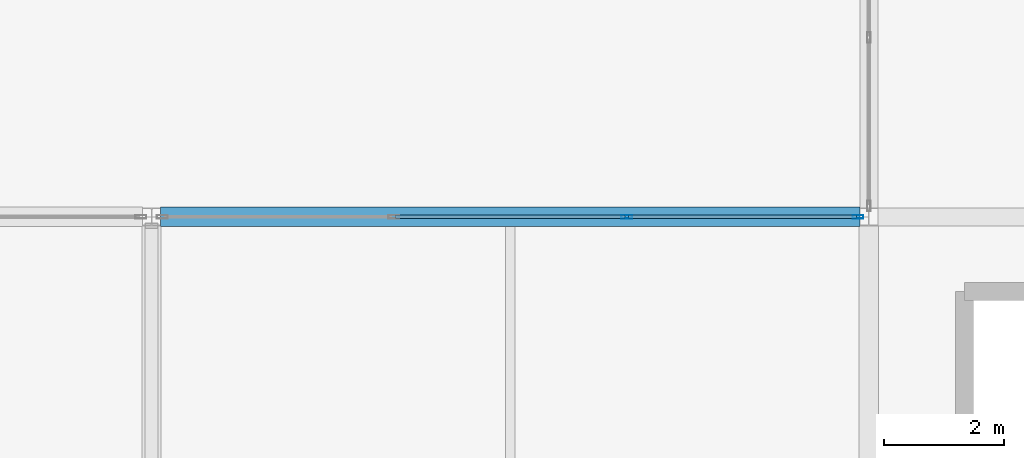
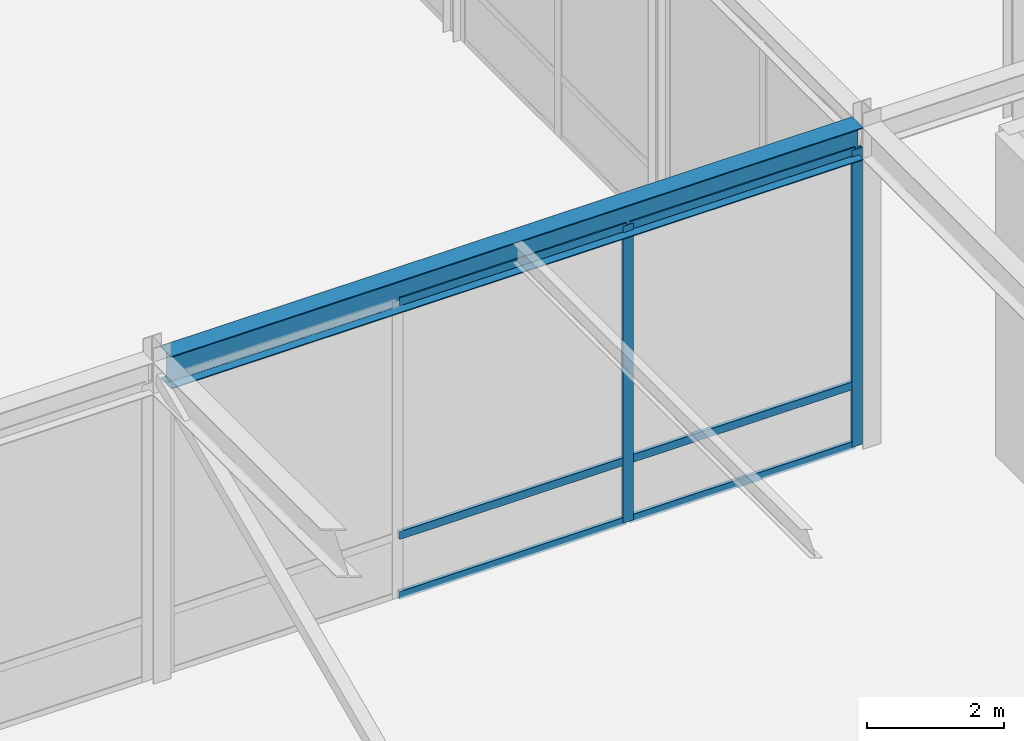
# One storey, part 38 of 108: 8 members, 1 beam, 1 element without a shape of its own.
"""IFC4 building model written with IfcOpenShell, lengths in metres."""

from ifc_helpers import new_model, si_unit, direction, frame, origin, origin_2d, place, context, subcontext, project, spatial, hollow_rectangle, i_section, extrude, material, layer, layer_set, material_profile, profile_set, type_object, element, aggregate, save


model = new_model("IFC4")

# Units and contexts
model_context = context("Model", 3, precision=1e-05, world=origin(), true_north=direction((0.0, 1.0)))
body_context = subcontext(model_context, "Body", "Model", "MODEL_VIEW")
ifc_project = project(units=[si_unit("LENGTHUNIT", "METRE"), si_unit("AREAUNIT", "SQUARE_METRE"), si_unit("VOLUMEUNIT", "CUBIC_METRE"), si_unit("PLANEANGLEUNIT", "RADIAN"), si_unit("MASSUNIT", "GRAM", prefix="KILO")], contexts=[model_context])

# Site, building, storey
site_placement = place(None, origin())
site = spatial("IfcSite", under=ifc_project, at=site_placement, CompositionType="ELEMENT")
building_placement = place(site_placement, origin())
building = spatial("IfcBuilding", under=site, at=building_placement, Name="Zlatovratsky Civic Hall", CompositionType="ELEMENT")
storey_placement = place(building_placement, frame((0.0, 0.0, 6.0)))
storey = spatial("IfcBuildingStorey", under=building, at=storey_placement, Name="L02", CompositionType="ELEMENT", Elevation=6.0)

# Beam
ifc_material_1 = material(Name="Steel S355", Category="steel")
ifc_material_profile_1 = material_profile(ifc_material_1, i_section(OverallWidth=0.320068359375, OverallDepth=0.58203125, WebThickness=0.011962890625, FlangeThickness=0.01708984375, FilletRadius=0.02392578125, at=origin_2d()), Name="60Sh1")
ifc_profile_set_1 = profile_set([ifc_material_profile_1], Name="Steel S355")
beam_type = type_object("IfcBeamType", Name="Beam_PodiumGirder_60Sh1", PredefinedType="BEAM", material=ifc_profile_set_1)
beam_placement = place(storey_placement, frame((36.14990234375, 30.0, 5.468994140625), z_axis=(1.0, 0.0, 0.0), x_axis=(0.0, 1.0, 0.0)))
element("IfcBeam", 1, at=beam_placement, inside=storey, type_object=beam_type, Name="BM-1787", PredefinedType="BEAM", context=body_context, shape_type="SweptSolid", body=[
    extrude(i_section(OverallWidth=0.320068359375, OverallDepth=0.58203125, WebThickness=0.011962890625, FlangeThickness=0.01708984375, FilletRadius=0.02392578125, at=origin_2d()), origin(), (0.0, 0.0, 1.0), 11.7001953125),
])

# Curtain wall, members
ifc_material_2 = material(Name="Anodised bronze aluminium", Category="aluminium")
ifc_layer = layer(ifc_material_2, 0.159912109375)
ifc_layer_set = layer_set([ifc_layer], Name="Anodised bronze aluminium")
curtain_wall_type = type_object("IfcCurtainWallType", Name="CurtainWall_Bronze_11700x5310_05", PredefinedType="NOTDEFINED", material=ifc_layer_set)
curtain_wall_placement = place(storey_placement, origin())
curtain_wall = element("IfcCurtainWall", 2, at=curtain_wall_placement, inside=storey, type_object=curtain_wall_type, Name="CW-011", PredefinedType="NOTDEFINED")
ifc_material_profile_2 = material_profile(ifc_material_2, hollow_rectangle(XDim=0.06005859375, YDim=0.179931640625, WallThickness=0.00390625, at=origin_2d()), Name="ALU 60x180x4")
ifc_profile_set_2 = profile_set([ifc_material_profile_2], Name="Anodised bronze aluminium")
member_type_1 = type_object("IfcMemberType", Name="CW_Mullion_60x180", PredefinedType="MULLION", material=ifc_profile_set_2)
member_1_placement = place(storey_placement, frame((43.949951171875, 30.0, 0.0), z_axis=(0.0, 0.0, 1.0), x_axis=(0.0, 1.0, 0.0)))
member_1 = element("IfcMember", 3, at=member_1_placement, type_object=member_type_1, Name="CW-05 mullion 3", PredefinedType="MULLION", context=body_context, shape_type="SweptSolid", body=[
    extrude(hollow_rectangle(XDim=0.06005859375, YDim=0.179931640625, WallThickness=0.00390625, at=origin_2d()), origin(), (0.0, 0.0, 1.0), 5.31005859375),
])
member_2_placement = place(storey_placement, frame((47.820068359375, 30.0, 0.0), z_axis=(0.0, 0.0, 1.0), x_axis=(0.0, 1.0, 0.0)))
member_2 = element("IfcMember", 4, at=member_2_placement, type_object=member_type_1, Name="CW-05 mullion 4", PredefinedType="MULLION", context=body_context, shape_type="SweptSolid", body=[
    extrude(hollow_rectangle(XDim=0.06005859375, YDim=0.179931640625, WallThickness=0.00390625, at=origin_2d()), origin(), (0.0, 0.0, 1.0), 5.31005859375),
])
ifc_material_profile_3 = material_profile(ifc_material_2, hollow_rectangle(XDim=0.06005859375, YDim=0.139892578125, WallThickness=0.00390625, at=origin_2d()), Name="ALU 60x140x4")
ifc_profile_set_3 = profile_set([ifc_material_profile_3], Name="Anodised bronze aluminium")
member_type_2 = type_object("IfcMemberType", Name="CW_Transom_60x140", PredefinedType="USERDEFINED", material=ifc_profile_set_3)
member_3_placement = place(storey_placement, frame((40.080078125, 30.0, 0.030029296875), z_axis=(1.0, 0.0, 0.0), x_axis=(0.0, 1.0, 0.0)))
member_3 = element("IfcMember", 5, at=member_3_placement, type_object=member_type_2, Name="CW-05 transom 2.1", ObjectType="TRANSOM", PredefinedType="USERDEFINED", context=body_context, shape_type="SweptSolid", body=[
    extrude(hollow_rectangle(XDim=0.06005859375, YDim=0.139892578125, WallThickness=0.00390625, at=origin_2d()), origin(), (0.0, 0.0, 1.0), 3.83984375),
])
member_4_placement = place(storey_placement, frame((40.080078125, 30.0, 1.10009765625), z_axis=(1.0, 0.0, 0.0), x_axis=(0.0, 1.0, 0.0)))
member_4 = element("IfcMember", 6, at=member_4_placement, type_object=member_type_2, Name="CW-05 transom 2.2", ObjectType="TRANSOM", PredefinedType="USERDEFINED", context=body_context, shape_type="SweptSolid", body=[
    extrude(hollow_rectangle(XDim=0.06005859375, YDim=0.139892578125, WallThickness=0.00390625, at=origin_2d()), origin(), (0.0, 0.0, 1.0), 3.83984375),
])
member_5_placement = place(storey_placement, frame((40.080078125, 30.0, 5.280029296875), z_axis=(1.0, 0.0, 0.0), x_axis=(0.0, 1.0, 0.0)))
member_5 = element("IfcMember", 7, at=member_5_placement, type_object=member_type_2, Name="CW-05 transom 2.3", ObjectType="TRANSOM", PredefinedType="USERDEFINED", context=body_context, shape_type="SweptSolid", body=[
    extrude(hollow_rectangle(XDim=0.06005859375, YDim=0.139892578125, WallThickness=0.00390625, at=origin_2d()), origin(), (0.0, 0.0, 1.0), 3.83984375),
])
member_6_placement = place(storey_placement, frame((43.97998046875, 30.0, 0.030029296875), z_axis=(1.0, 0.0, 0.0), x_axis=(0.0, 1.0, 0.0)))
member_6 = element("IfcMember", 8, at=member_6_placement, type_object=member_type_2, Name="CW-05 transom 3.1", ObjectType="TRANSOM", PredefinedType="USERDEFINED", context=body_context, shape_type="SweptSolid", body=[
    extrude(hollow_rectangle(XDim=0.06005859375, YDim=0.139892578125, WallThickness=0.00390625, at=origin_2d()), origin(), (0.0, 0.0, 1.0), 3.81005859375),
])
member_7_placement = place(storey_placement, frame((43.97998046875, 30.0, 1.10009765625), z_axis=(1.0, 0.0, 0.0), x_axis=(0.0, 1.0, 0.0)))
member_7 = element("IfcMember", 9, at=member_7_placement, type_object=member_type_2, Name="CW-05 transom 3.2", ObjectType="TRANSOM", PredefinedType="USERDEFINED", context=body_context, shape_type="SweptSolid", body=[
    extrude(hollow_rectangle(XDim=0.06005859375, YDim=0.139892578125, WallThickness=0.00390625, at=origin_2d()), origin(), (0.0, 0.0, 1.0), 3.81005859375),
])
member_8_placement = place(storey_placement, frame((43.97998046875, 30.0, 5.280029296875), z_axis=(1.0, 0.0, 0.0), x_axis=(0.0, 1.0, 0.0)))
member_8 = element("IfcMember", 10, at=member_8_placement, type_object=member_type_2, Name="CW-05 transom 3.3", ObjectType="TRANSOM", PredefinedType="USERDEFINED", context=body_context, shape_type="SweptSolid", body=[
    extrude(hollow_rectangle(XDim=0.06005859375, YDim=0.139892578125, WallThickness=0.00390625, at=origin_2d()), origin(), (0.0, 0.0, 1.0), 3.81005859375),
])
aggregate(curtain_wall, [member_1, member_2, member_3, member_4, member_5, member_6, member_7, member_8])

save(model, "model.ifc")
